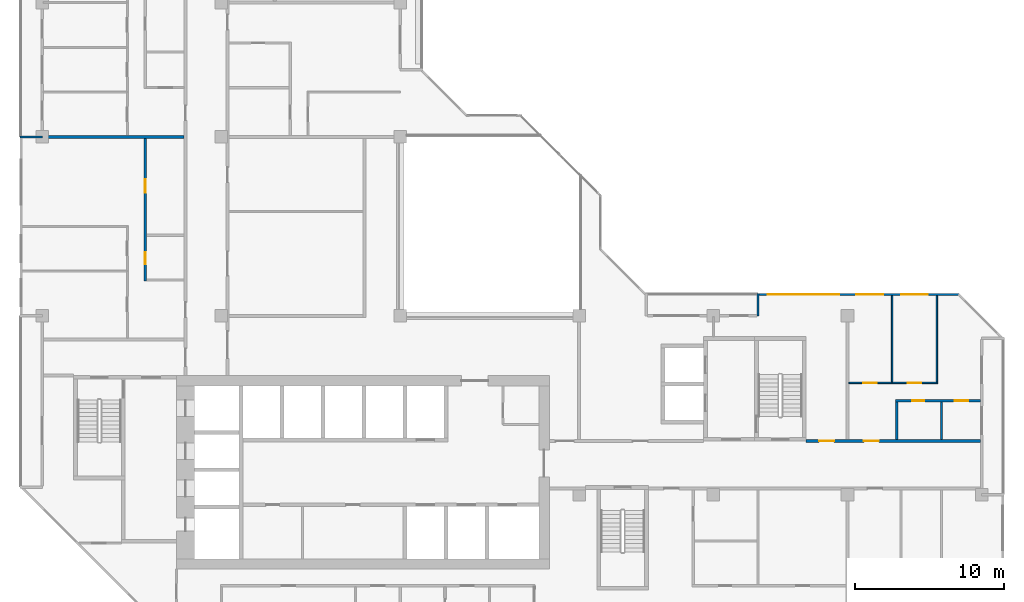
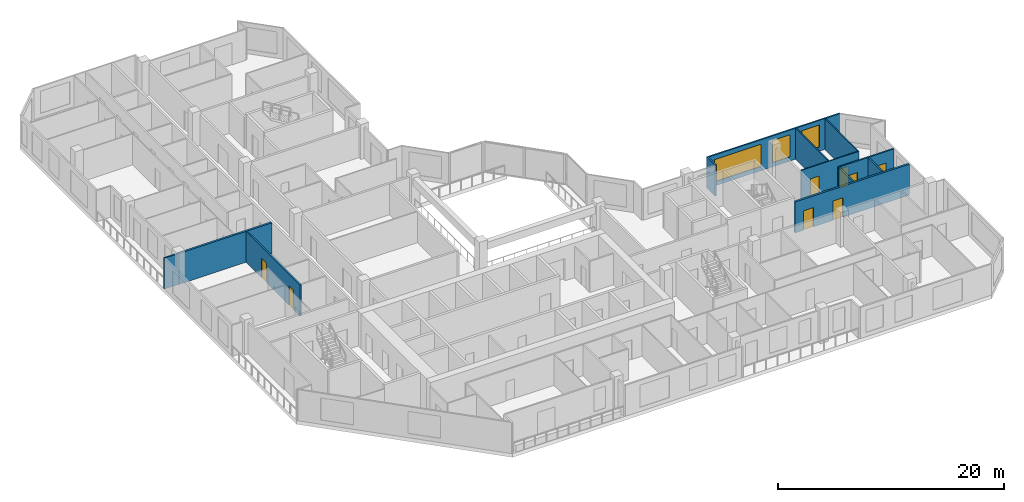
# One storey, part 8 of 14: 12 walls, 8 doors, 3 windows, 11 openings.
"""IFC4 building model written with IfcOpenShell, lengths in metres."""

from ifc_helpers import new_model, si_unit, direction, frame, frame_2d, origin, place, context, subcontext, project, spatial, rectangle, extrude, material, layer, layer_set, type_object, element, fill, save


model = new_model("IFC4")

# Units and contexts
model_context = context("Model", 3, precision=1e-05, world=origin(), true_north=direction((0.0, 1.0)))
body_context = subcontext(model_context, "Body", "Model", "MODEL_VIEW")
ifc_project = project(units=[si_unit("LENGTHUNIT", "METRE"), si_unit("AREAUNIT", "SQUARE_METRE"), si_unit("VOLUMEUNIT", "CUBIC_METRE"), si_unit("PLANEANGLEUNIT", "RADIAN"), si_unit("MASSUNIT", "GRAM", prefix="KILO")], contexts=[model_context])

# Site, building, storey
site_placement = place(None, origin())
site = spatial("IfcSite", under=ifc_project, at=site_placement, CompositionType="ELEMENT")
building_placement = place(site_placement, origin())
building = spatial("IfcBuilding", under=site, at=building_placement, Name="Chenar Terraces", CompositionType="ELEMENT")
storey_placement = place(building_placement, frame((0.0, 0.0, 230.39990234375)))
storey = spatial("IfcBuildingStorey", under=building, at=storey_placement, Name="L54", CompositionType="ELEMENT", Elevation=230.39990234375)

# Wall, openings, doors
ifc_material_1 = material(Name="Gypsum board on steel studs with fire boards", Category="steel")
ifc_layer_1 = layer(ifc_material_1, 0.199951171875)
ifc_layer_set_1 = layer_set([ifc_layer_1], Name="Gypsum board on steel studs with fire boards")
wall_type_1 = type_object("IfcWallType", Name="Corridor wall 200", PredefinedType="PARTITIONING", material=ifc_layer_set_1)
wall_1_placement = place(storey_placement, frame((51.22509765625, 15.60009765625, 0.0), z_axis=(0.0, 0.0, 1.0), x_axis=(1.0, 0.0, 0.0)))
wall_1 = element("IfcWall", 1, at=wall_1_placement, inside=storey, type_object=wall_type_1, Name="Partition L54-071", PredefinedType="PARTITIONING", context=body_context, shape_type="SweptSolid", body=[
    extrude(rectangle(XDim=11.700927734375, YDim=0.199951171875, at=frame_2d((5.8505859375, 0.0))), origin(), (0.0, 0.0, 1.0), 3.35009765625),
])
opening_1_placement = place(wall_1_placement, frame((3.875, 0.0, 0.0)))
opening_1 = element("IfcOpeningElement", 2, at=opening_1_placement, cuts=wall_1, Name="Opening DL54-8", PredefinedType="OPENING", context=body_context, shape_type="SweptSolid", body=[
    extrude(rectangle(XDim=1.0, YDim=2.10009765625, at=frame_2d((0.5, 1.050048828125))), frame((0.0, 0.10986328125, 0.0), z_axis=(0.0, -1.0, 0.0), x_axis=(1.0, 0.0, 0.0)), (0.0, 0.0, 1.0), 0.219970703125),
])
opening_2_placement = place(wall_1_placement, frame((0.875, 0.0, 0.0)))
opening_2 = element("IfcOpeningElement", 3, at=opening_2_placement, cuts=wall_1, Name="Opening DL54-42", PredefinedType="OPENING", context=body_context, shape_type="SweptSolid", body=[
    extrude(rectangle(XDim=1.0, YDim=2.10009765625, at=frame_2d((0.5, 1.050048828125))), frame((0.0, 0.10986328125, 0.0), z_axis=(0.0, -1.0, 0.0), x_axis=(1.0, 0.0, 0.0)), (0.0, 0.0, 1.0), 0.219970703125),
])
ifc_material_2 = material(Name="Steel-framed fire-resisting door leaf", Category="steel")
door_type_1 = type_object("IfcDoorType", Name="Fire door FD30S 1000 x 2100", OperationType="SINGLE_SWING_LEFT", PredefinedType="DOOR", material=ifc_material_2)
door_1_placement = place(opening_1_placement, origin())
door_1 = element("IfcDoor", 4, at=door_1_placement, inside=storey, type_object=door_type_1, Name="Door DL54-8", OperationType="SINGLE_SWING_LEFT", OverallHeight=2.10009765625, OverallWidth=1.0, PredefinedType="DOOR", context=body_context, shape_type="SweptSolid", body=[
    extrude(rectangle(XDim=1.0, YDim=2.10009765625, at=frame_2d((0.5, 1.050048828125))), frame((0.0, 0.02490234375, 0.0), z_axis=(0.0, -1.0, 0.0), x_axis=(1.0, 0.0, 0.0)), (0.0, 0.0, 1.0), 0.050048828125),
])
fill(opening_1, door_1)
door_2_placement = place(opening_2_placement, origin())
door_2 = element("IfcDoor", 5, at=door_2_placement, inside=storey, type_object=door_type_1, Name="Door DL54-42", OperationType="SINGLE_SWING_RIGHT", OverallHeight=2.10009765625, OverallWidth=1.0, PredefinedType="DOOR", context=body_context, shape_type="SweptSolid", body=[
    extrude(rectangle(XDim=1.0, YDim=2.10009765625, at=frame_2d((0.5, 1.050048828125))), frame((0.0, 0.02490234375, 0.0), z_axis=(0.0, -1.0, 0.0), x_axis=(1.0, 0.0, 0.0)), (0.0, 0.0, 1.0), 0.050048828125),
])
fill(opening_2, door_2)

# Wall, openings, windows
ifc_material_3 = material(Name="Aluminium framed glazing", Category="aluminium")
ifc_layer_2 = layer(ifc_material_3, 0.14990234375)
ifc_layer_set_2 = layer_set([ifc_layer_2], Name="Aluminium framed glazing")
wall_type_2 = type_object("IfcWallType", Name="Glazed flush facade wall 150", PredefinedType="SOLIDWALL", material=ifc_layer_set_2)
wall_2_placement = place(storey_placement, frame((61.5, 25.425048828125, 0.0), z_axis=(0.0, 0.0, 1.0), x_axis=(-1.0, 0.0, 0.0)))
wall_2 = element("IfcWall", 6, at=wall_2_placement, inside=storey, type_object=wall_type_2, Name="Glazed flush facade wall", PredefinedType="SOLIDWALL", context=body_context, shape_type="SweptSolid", body=[
    extrude(rectangle(XDim=13.425048828125, YDim=0.14990234375, at=frame_2d((6.71240234375, 0.0))), origin(), (0.0, 0.0, 1.0), 3.35009765625),
])
opening_3_placement = place(wall_2_placement, frame((2.10009765625, 0.0, 0.449951171875)))
opening_3 = element("IfcOpeningElement", 7, at=opening_3_placement, cuts=wall_2, Name="Opening W180x240", PredefinedType="OPENING", context=body_context, shape_type="SweptSolid", body=[
    extrude(rectangle(XDim=1.800048828125, YDim=2.39990234375, at=frame_2d((0.89990234375, 1.199951171875))), frame((0.0, 0.0849609375, 0.0), z_axis=(0.0, -1.0, 0.0), x_axis=(1.0, 0.0, 0.0)), (0.0, 0.0, 1.0), 0.169921875),
])
opening_4_placement = place(wall_2_placement, frame((5.10009765625, 0.0, 0.449951171875)))
opening_4 = element("IfcOpeningElement", 8, at=opening_4_placement, cuts=wall_2, Name="Opening W180x240", PredefinedType="OPENING", context=body_context, shape_type="SweptSolid", body=[
    extrude(rectangle(XDim=1.800048828125, YDim=2.39990234375, at=frame_2d((0.89990234375, 1.199951171875))), frame((0.0, 0.0849609375, 0.0), z_axis=(0.0, -1.0, 0.0), x_axis=(1.0, 0.0, 0.0)), (0.0, 0.0, 1.0), 0.169921875),
])
opening_5_placement = place(wall_2_placement, frame((8.0625, 0.0, 0.449951171875)))
opening_5 = element("IfcOpeningElement", 9, at=opening_5_placement, cuts=wall_2, Name="Opening W480x240", PredefinedType="OPENING", context=body_context, shape_type="SweptSolid", body=[
    extrude(rectangle(XDim=4.800048828125, YDim=2.39990234375, at=frame_2d((2.39990234375, 1.199951171875))), frame((0.0, 0.0849609375, 0.0), z_axis=(0.0, -1.0, 0.0), x_axis=(1.0, 0.0, 0.0)), (0.0, 0.0, 1.0), 0.169921875),
])
ifc_material_4 = material(Name="Low emissivity double glazing, aluminium frame", Category="aluminium")
window_type_1 = type_object("IfcWindowType", Name="Fixed light 1800 x 2400", PartitioningType="SINGLE_PANEL", PredefinedType="WINDOW", material=ifc_material_4)
window_1_placement = place(opening_3_placement, origin())
window_1 = element("IfcWindow", 10, at=window_1_placement, inside=storey, type_object=window_type_1, Name="Window", OverallHeight=2.39990234375, OverallWidth=1.800048828125, PartitioningType="SINGLE_PANEL", PredefinedType="WINDOW", context=body_context, shape_type="SweptSolid", body=[
    extrude(rectangle(XDim=1.800048828125, YDim=2.39990234375, at=frame_2d((0.89990234375, 1.199951171875))), frame((0.0, 0.030029296875, 0.0), z_axis=(0.0, -1.0, 0.0), x_axis=(1.0, 0.0, 0.0)), (0.0, 0.0, 1.0), 0.06005859375),
])
fill(opening_3, window_1)
window_2_placement = place(opening_4_placement, origin())
window_2 = element("IfcWindow", 11, at=window_2_placement, inside=storey, type_object=window_type_1, Name="Window", OverallHeight=2.39990234375, OverallWidth=1.800048828125, PartitioningType="SINGLE_PANEL", PredefinedType="WINDOW", context=body_context, shape_type="SweptSolid", body=[
    extrude(rectangle(XDim=1.800048828125, YDim=2.39990234375, at=frame_2d((0.89990234375, 1.199951171875))), frame((0.0, 0.030029296875, 0.0), z_axis=(0.0, -1.0, 0.0), x_axis=(1.0, 0.0, 0.0)), (0.0, 0.0, 1.0), 0.06005859375),
])
fill(opening_4, window_2)
ifc_material_5 = material(Name="Low emissivity double glazing, aluminium frame", Category="aluminium")
window_type_2 = type_object("IfcWindowType", Name="Fixed light 4800 x 2400", PartitioningType="SINGLE_PANEL", PredefinedType="WINDOW", material=ifc_material_5)
window_3_placement = place(opening_5_placement, origin())
window_3 = element("IfcWindow", 12, at=window_3_placement, inside=storey, type_object=window_type_2, Name="Window", OverallHeight=2.39990234375, OverallWidth=4.800048828125, PartitioningType="SINGLE_PANEL", PredefinedType="WINDOW", context=body_context, shape_type="SweptSolid", body=[
    extrude(rectangle(XDim=4.800048828125, YDim=2.39990234375, at=frame_2d((2.39990234375, 1.199951171875))), frame((0.0, 0.030029296875, 0.0), z_axis=(0.0, -1.0, 0.0), x_axis=(1.0, 0.0, 0.0)), (0.0, 0.0, 1.0), 0.06005859375),
])
fill(opening_5, window_3)

# Wall, openings, doors
ifc_material_6 = material(Name="Gypsum board on steel studs", Category="steel")
ifc_layer_3 = layer(ifc_material_6, 0.10009765625)
ifc_layer_set_3 = layer_set([ifc_layer_3], Name="Gypsum board on steel studs")
wall_type_3 = type_object("IfcWallType", Name="Gypsum partition 100", PredefinedType="PARTITIONING", material=ifc_layer_set_3)
wall_3_placement = place(storey_placement, frame((54.10009765625, 19.5, 0.0), z_axis=(0.0, 0.0, 1.0), x_axis=(1.0, 0.0, 0.0)))
wall_3 = element("IfcWall", 13, at=wall_3_placement, inside=storey, type_object=wall_type_3, Name="Partition L54-076", PredefinedType="PARTITIONING", context=body_context, shape_type="SweptSolid", body=[
    extrude(rectangle(XDim=5.949951171875, YDim=0.10009765625, at=frame_2d((2.97509765625, 0.0))), origin(), (0.0, 0.0, 1.0), 3.35009765625),
])
opening_6_placement = place(wall_3_placement, frame((0.949951171875, 0.0, 0.0)))
opening_6 = element("IfcOpeningElement", 14, at=opening_6_placement, cuts=wall_3, Name="Opening DL54-5", PredefinedType="OPENING", context=body_context, shape_type="SweptSolid", body=[
    extrude(rectangle(XDim=0.89990234375, YDim=2.10009765625, at=frame_2d((0.449951171875, 1.050048828125))), frame((0.0, 0.06005859375, 0.0), z_axis=(0.0, -1.0, 0.0), x_axis=(1.0, 0.0, 0.0)), (0.0, 0.0, 1.0), 0.1201171875),
])
opening_7_placement = place(wall_3_placement, frame((3.949951171875, 0.0, 0.0)))
opening_7 = element("IfcOpeningElement", 15, at=opening_7_placement, cuts=wall_3, Name="Opening DL54-6", PredefinedType="OPENING", context=body_context, shape_type="SweptSolid", body=[
    extrude(rectangle(XDim=0.89990234375, YDim=2.10009765625, at=frame_2d((0.449951171875, 1.050048828125))), frame((0.0, 0.06005859375, 0.0), z_axis=(0.0, -1.0, 0.0), x_axis=(1.0, 0.0, 0.0)), (0.0, 0.0, 1.0), 0.1201171875),
])
ifc_material_7 = material(Name="Veneered timber door leaf", Category="wood")
door_type_2 = type_object("IfcDoorType", Name="Door 900 x 2100", OperationType="SINGLE_SWING_LEFT", PredefinedType="DOOR", material=ifc_material_7)
door_3_placement = place(opening_6_placement, origin())
door_3 = element("IfcDoor", 16, at=door_3_placement, inside=storey, type_object=door_type_2, Name="Door DL54-5", OperationType="SINGLE_SWING_RIGHT", OverallHeight=2.10009765625, OverallWidth=0.89990234375, PredefinedType="DOOR", context=body_context, shape_type="SweptSolid", body=[
    extrude(rectangle(XDim=0.89990234375, YDim=2.10009765625, at=frame_2d((0.449951171875, 1.050048828125))), frame((0.0, 0.02490234375, 0.0), z_axis=(0.0, -1.0, 0.0), x_axis=(1.0, 0.0, 0.0)), (0.0, 0.0, 1.0), 0.050048828125),
])
fill(opening_6, door_3)
door_4_placement = place(opening_7_placement, origin())
door_4 = element("IfcDoor", 17, at=door_4_placement, inside=storey, type_object=door_type_2, Name="Door DL54-6", OperationType="SINGLE_SWING_RIGHT", OverallHeight=2.10009765625, OverallWidth=0.89990234375, PredefinedType="DOOR", context=body_context, shape_type="SweptSolid", body=[
    extrude(rectangle(XDim=0.89990234375, YDim=2.10009765625, at=frame_2d((0.449951171875, 1.050048828125))), frame((0.0, 0.02490234375, 0.0), z_axis=(0.0, -1.0, 0.0), x_axis=(1.0, 0.0, 0.0)), (0.0, 0.0, 1.0), 0.050048828125),
])
fill(opening_7, door_4)

# Walls
wall_4_placement = place(storey_placement, frame((57.0, 19.550048828125, 0.0), z_axis=(0.0, 0.0, 1.0), x_axis=(0.0, 1.0, 0.0)))
element("IfcWall", 18, at=wall_4_placement, inside=storey, type_object=wall_type_3, Name="Partition L54-078", PredefinedType="PARTITIONING", context=body_context, shape_type="SweptSolid", body=[
    extrude(rectangle(XDim=5.801025390625, YDim=0.10009765625, at=frame_2d((2.900390625, 0.0))), origin(), (0.0, 0.0, 1.0), 3.35009765625),
])
wall_5_placement = place(storey_placement, frame((60.0, 19.550048828125, 0.0), z_axis=(0.0, 0.0, 1.0), x_axis=(0.0, 1.0, 0.0)))
element("IfcWall", 19, at=wall_5_placement, inside=storey, type_object=wall_type_3, Name="Partition L54-084", PredefinedType="PARTITIONING", context=body_context, shape_type="SweptSolid", body=[
    extrude(rectangle(XDim=5.800048828125, YDim=0.10009765625, at=frame_2d((2.89990234375, 0.0))), origin(), (0.0, 0.0, 1.0), 3.35009765625),
])
ifc_material_8 = material(Name="Terracotta cladding on insulated backing", Category="masonry")
ifc_layer_4 = layer(ifc_material_8, 0.14990234375)
ifc_layer_set_4 = layer_set([ifc_layer_4], Name="Terracotta cladding on insulated backing")
wall_type_4 = type_object("IfcWallType", Name="Loggia return wall 150", PredefinedType="SOLIDWALL", material=ifc_layer_set_4)
for number, where, z_axis, x_axis, name in (
    (20, (48.0, 25.5, 0.0), (0.0, 0.0, 1.0), (0.0, -1.0, 0.0), "Loggia return wall"),
    (21, (-1.5, 36.0, 0.0), (0.0, 0.0, 1.0), (1.0, 0.0, 0.0), "Loggia return wall"),
):
    element("IfcWall", number, at=place(storey_placement, frame(where, z_axis=z_axis, x_axis=x_axis)), inside=storey, type_object=wall_type_4, Name=name, PredefinedType="SOLIDWALL", context=body_context, shape_type="SweptSolid", body=[
        extrude(rectangle(XDim=1.5, YDim=0.14990234375, at=frame_2d((0.75, 0.0))), origin(), (0.0, 0.0, 1.0), 3.35009765625),
    ])
ifc_material_9 = material(Name="Twin gypsum board on steel studs with mineral wool", Category="steel")
ifc_layer_5 = layer(ifc_material_9, 0.199951171875)
ifc_layer_set_5 = layer_set([ifc_layer_5], Name="Twin gypsum board on steel studs with mineral wool")
wall_type_5 = type_object("IfcWallType", Name="Unit demising wall 200", PredefinedType="PARTITIONING", material=ifc_layer_set_5)
wall_6_placement = place(storey_placement, frame((0.0, 36.0, 0.0), z_axis=(0.0, 0.0, 1.0), x_axis=(1.0, 0.0, 0.0)))
element("IfcWall", 22, at=wall_6_placement, inside=storey, type_object=wall_type_5, Name="Partition L54-005", PredefinedType="PARTITIONING", context=body_context, shape_type="SweptSolid", body=[
    extrude(rectangle(XDim=9.5, YDim=0.199951171875, at=frame_2d((4.75, 0.0))), origin(), (0.0, 0.0, 1.0), 3.35009765625),
])

# Wall, openings, doors
ifc_material_10 = material(Name="Moisture-resistant gypsum board on steel studs", Category="steel")
ifc_layer_6 = layer(ifc_material_10, 0.14990234375)
ifc_layer_set_6 = layer_set([ifc_layer_6], Name="Moisture-resistant gypsum board on steel studs")
wall_type_6 = type_object("IfcWallType", Name="Wet-room partition 150", PredefinedType="PARTITIONING", material=ifc_layer_set_6)
wall_7_placement = place(storey_placement, frame((6.89990234375, 26.324951171875, 0.0), z_axis=(0.0, 0.0, 1.0), x_axis=(0.0, 1.0, 0.0)))
wall_7 = element("IfcWall", 23, at=wall_7_placement, inside=storey, type_object=wall_type_6, Name="Partition L54-015", PredefinedType="PARTITIONING", context=body_context, shape_type="SweptSolid", body=[
    extrude(rectangle(XDim=9.574951171875, YDim=0.14990234375, at=frame_2d((4.78759765625, 0.0))), origin(), (0.0, 0.0, 1.0), 3.35009765625),
])
opening_8_placement = place(wall_7_placement, frame((1.125, 0.0, 0.0)))
opening_8 = element("IfcOpeningElement", 24, at=opening_8_placement, cuts=wall_7, Name="Opening DL54-60", PredefinedType="OPENING", context=body_context, shape_type="SweptSolid", body=[
    extrude(rectangle(XDim=0.800048828125, YDim=2.10009765625, at=frame_2d((0.39990234375, 1.050048828125))), frame((0.0, 0.0849609375, 0.0), z_axis=(0.0, -1.0, 0.0), x_axis=(1.0, 0.0, 0.0)), (0.0, 0.0, 1.0), 0.169921875),
])
opening_9_placement = place(wall_7_placement, frame((5.925048828125, 0.0, 0.0)))
opening_9 = element("IfcOpeningElement", 25, at=opening_9_placement, cuts=wall_7, Name="Opening DL54-63", PredefinedType="OPENING", context=body_context, shape_type="SweptSolid", body=[
    extrude(rectangle(XDim=0.89990234375, YDim=2.10009765625, at=frame_2d((0.449951171875, 1.050048828125))), frame((0.0, 0.0849609375, 0.0), z_axis=(0.0, -1.0, 0.0), x_axis=(1.0, 0.0, 0.0)), (0.0, 0.0, 1.0), 0.169921875),
])
ifc_material_11 = material(Name="Veneered timber door leaf", Category="wood")
door_type_3 = type_object("IfcDoorType", Name="Door 800 x 2100", OperationType="SINGLE_SWING_LEFT", PredefinedType="DOOR", material=ifc_material_11)
door_5_placement = place(opening_8_placement, frame((0.800048828125, 0.0, 0.0), z_axis=(0.0, 0.0, 1.0), x_axis=(-1.0, 0.0, 0.0)))
door_5 = element("IfcDoor", 26, at=door_5_placement, inside=storey, type_object=door_type_3, Name="Door DL54-60", OperationType="SINGLE_SWING_RIGHT", OverallHeight=2.10009765625, OverallWidth=0.800048828125, PredefinedType="DOOR", context=body_context, shape_type="SweptSolid", body=[
    extrude(rectangle(XDim=0.800048828125, YDim=2.10009765625, at=frame_2d((0.39990234375, 1.050048828125))), frame((0.0, 0.02490234375, 0.0), z_axis=(0.0, -1.0, 0.0), x_axis=(1.0, 0.0, 0.0)), (0.0, 0.0, 1.0), 0.050048828125),
])
fill(opening_8, door_5)
door_6_placement = place(opening_9_placement, frame((0.89990234375, 0.0, 0.0), z_axis=(0.0, 0.0, 1.0), x_axis=(-1.0, 0.0, 0.0)))
door_6 = element("IfcDoor", 27, at=door_6_placement, inside=storey, type_object=door_type_2, Name="Door DL54-63", OperationType="SINGLE_SWING_RIGHT", OverallHeight=2.10009765625, OverallWidth=0.89990234375, PredefinedType="DOOR", context=body_context, shape_type="SweptSolid", body=[
    extrude(rectangle(XDim=0.89990234375, YDim=2.10009765625, at=frame_2d((0.449951171875, 1.050048828125))), frame((0.0, 0.02490234375, 0.0), z_axis=(0.0, -1.0, 0.0), x_axis=(1.0, 0.0, 0.0)), (0.0, 0.0, 1.0), 0.050048828125),
])
fill(opening_9, door_6)

wall_8_placement = place(storey_placement, frame((57.22509765625, 18.300048828125, 0.0), z_axis=(0.0, 0.0, 1.0), x_axis=(1.0, 0.0, 0.0)))
wall_8 = element("IfcWall", 28, at=wall_8_placement, inside=storey, type_object=wall_type_6, Name="Partition L54-079", PredefinedType="PARTITIONING", context=body_context, shape_type="SweptSolid", body=[
    extrude(rectangle(XDim=5.700927734375, YDim=0.14990234375, at=frame_2d((2.8505859375, 0.0))), origin(), (0.0, 0.0, 1.0), 3.35009765625),
])
opening_10_placement = place(wall_8_placement, frame((1.125, 0.0, 0.0)))
opening_10 = element("IfcOpeningElement", 29, at=opening_10_placement, cuts=wall_8, Name="Opening DL54-4", PredefinedType="OPENING", context=body_context, shape_type="SweptSolid", body=[
    extrude(rectangle(XDim=0.800048828125, YDim=2.10009765625, at=frame_2d((0.39990234375, 1.050048828125))), frame((0.0, 0.0849609375, 0.0), z_axis=(0.0, -1.0, 0.0), x_axis=(1.0, 0.0, 0.0)), (0.0, 0.0, 1.0), 0.169921875),
])
opening_11_placement = place(wall_8_placement, frame((3.97509765625, 0.0, 0.0)))
opening_11 = element("IfcOpeningElement", 30, at=opening_11_placement, cuts=wall_8, Name="Opening DL54-7", PredefinedType="OPENING", context=body_context, shape_type="SweptSolid", body=[
    extrude(rectangle(XDim=0.89990234375, YDim=2.10009765625, at=frame_2d((0.449951171875, 1.050048828125))), frame((0.0, 0.0849609375, 0.0), z_axis=(0.0, -1.0, 0.0), x_axis=(1.0, 0.0, 0.0)), (0.0, 0.0, 1.0), 0.169921875),
])
door_7_placement = place(opening_10_placement, frame((0.800048828125, 0.0, 0.0), z_axis=(0.0, 0.0, 1.0), x_axis=(-1.0, 0.0, 0.0)))
door_7 = element("IfcDoor", 31, at=door_7_placement, inside=storey, type_object=door_type_3, Name="Door DL54-4", OperationType="SINGLE_SWING_RIGHT", OverallHeight=2.10009765625, OverallWidth=0.800048828125, PredefinedType="DOOR", context=body_context, shape_type="SweptSolid", body=[
    extrude(rectangle(XDim=0.800048828125, YDim=2.10009765625, at=frame_2d((0.39990234375, 1.050048828125))), frame((0.0, 0.02490234375, 0.0), z_axis=(0.0, -1.0, 0.0), x_axis=(1.0, 0.0, 0.0)), (0.0, 0.0, 1.0), 0.050048828125),
])
fill(opening_10, door_7)
door_8_placement = place(opening_11_placement, frame((0.89990234375, 0.0, 0.0), z_axis=(0.0, 0.0, 1.0), x_axis=(-1.0, 0.0, 0.0)))
door_8 = element("IfcDoor", 32, at=door_8_placement, inside=storey, type_object=door_type_2, Name="Door DL54-7", OperationType="SINGLE_SWING_LEFT", OverallHeight=2.10009765625, OverallWidth=0.89990234375, PredefinedType="DOOR", context=body_context, shape_type="SweptSolid", body=[
    extrude(rectangle(XDim=0.89990234375, YDim=2.10009765625, at=frame_2d((0.449951171875, 1.050048828125))), frame((0.0, 0.02490234375, 0.0), z_axis=(0.0, -1.0, 0.0), x_axis=(1.0, 0.0, 0.0)), (0.0, 0.0, 1.0), 0.050048828125),
])
fill(opening_11, door_8)

# Walls
for number, where, z_axis, x_axis, name in (
    (33, (57.300048828125, 15.699951171875, 0.0), (0.0, 0.0, 1.0), (0.0, 1.0, 0.0), "Partition L54-080"),
    (34, (60.300048828125, 15.699951171875, 0.0), (0.0, 0.0, 1.0), (0.0, 1.0, 0.0), "Partition L54-086"),
):
    element("IfcWall", number, at=place(storey_placement, frame(where, z_axis=z_axis, x_axis=x_axis)), inside=storey, type_object=wall_type_6, Name=name, PredefinedType="PARTITIONING", context=body_context, shape_type="SweptSolid", body=[
        extrude(rectangle(XDim=2.525146484375, YDim=0.14990234375, at=frame_2d((1.2626953125, 0.0))), origin(), (0.0, 0.0, 1.0), 3.35009765625),
    ])

save(model, "model.ifc")
